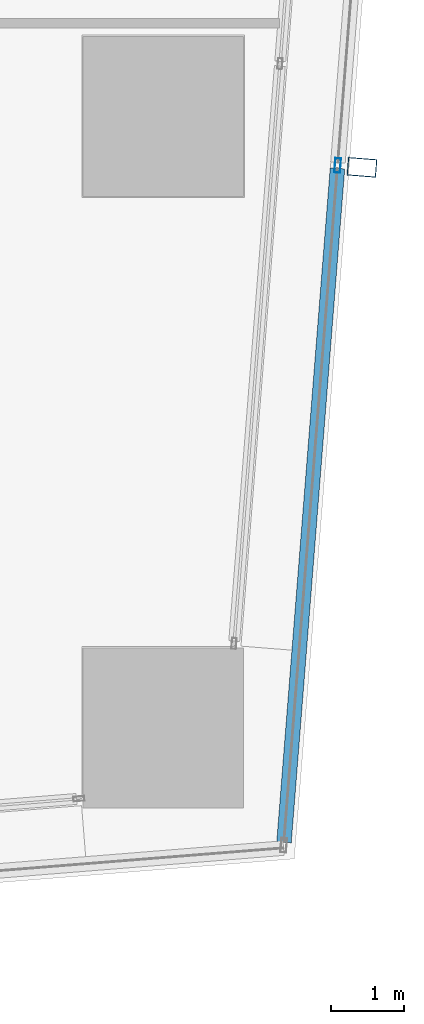
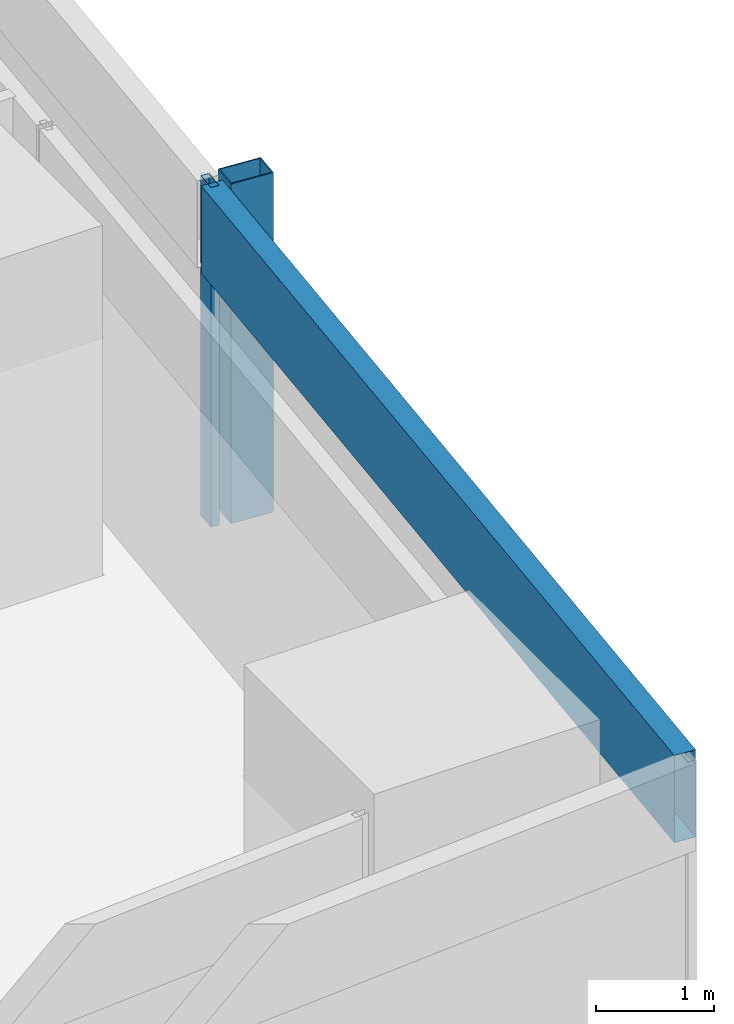
# One storey, part 25 of 45: 3 members, 1 element without a shape of its own.
"""IFC4 building model written with IfcOpenShell, lengths in metres."""

from ifc_helpers import new_model, si_unit, direction, frame, origin, origin_2d, place, context, subcontext, project, spatial, hollow_rectangle, extrude, material, material_profile, profile_set, type_object, element, aggregate, save


model = new_model("IFC4")

# Units and contexts
model_context = context("Model", 3, precision=1e-05, world=origin(), true_north=direction((0.0, 1.0)))
body_context = subcontext(model_context, "Body", "Model", "MODEL_VIEW")
ifc_project = project(units=[si_unit("LENGTHUNIT", "METRE"), si_unit("AREAUNIT", "SQUARE_METRE"), si_unit("VOLUMEUNIT", "CUBIC_METRE"), si_unit("PLANEANGLEUNIT", "RADIAN"), si_unit("MASSUNIT", "GRAM", prefix="KILO")], contexts=[model_context])

# Site, building, storey
site_placement = place(None, origin())
site = spatial("IfcSite", under=ifc_project, at=site_placement, CompositionType="ELEMENT")
building_placement = place(site_placement, origin())
building = spatial("IfcBuilding", under=site, at=building_placement, Name="Rekha Terrace Tower", CompositionType="ELEMENT")
storey_placement = place(building_placement, frame((0.0, 0.0, 32.89990234375)))
storey = spatial("IfcBuildingStorey", under=building, at=storey_placement, Name="L07", CompositionType="ELEMENT", Elevation=32.89990234375)

# Curtain wall, members
ifc_material_1 = material(Name="Aluminium framing", Category="aluminium")
curtain_wall_type = type_object("IfcCurtainWallType", Name="CW2 double skin outer glazing", PredefinedType="USERDEFINED", material=ifc_material_1)
curtain_wall_placement = place(storey_placement, origin())
curtain_wall = element("IfcCurtainWall", 1, at=curtain_wall_placement, inside=storey, type_object=curtain_wall_type, Name="CW2 double skin outer glazing", ObjectType="DOUBLE SKIN OUTER GLAZING", PredefinedType="USERDEFINED")
ifc_material_2 = material(Name="Steel S355 with fluorocarbon finish", Category="steel")
ifc_material_profile_1 = material_profile(ifc_material_2, hollow_rectangle(XDim=0.25, YDim=0.39990234375, WallThickness=0.012451171875, at=origin_2d()), Name="RHS400x250x12.5")
ifc_profile_set_1 = profile_set([ifc_material_profile_1], Name="Steel S355 with fluorocarbon finish")
member_type_1 = type_object("IfcMemberType", Name="BL1 facade blade RHS 400 x 250", PredefinedType="USERDEFINED", material=ifc_profile_set_1)
member_1_placement = place(storey_placement, frame((69.929443359375, 16.099365234375, 0.0), z_axis=(0.0, 0.0, 1.0), x_axis=(0.079116779322, 0.996865354614, 0.0)))
member_1 = element("IfcMember", 2, at=member_1_placement, type_object=member_type_1, Name="Facade blade", ObjectType="FACADE BLADE", PredefinedType="USERDEFINED", context=body_context, shape_type="SweptSolid", body=[
    extrude(hollow_rectangle(XDim=0.25, YDim=0.39990234375, WallThickness=0.012451171875, at=origin_2d()), origin(), (0.0, 0.0, 1.0), 3.5),
])
ifc_material_3 = material(Name="Aluminium mullion section", Category="aluminium")
ifc_material_profile_2 = material_profile(ifc_material_3, hollow_rectangle(XDim=0.080078125, YDim=0.199951171875, WallThickness=0.00390625, at=origin_2d()), Name="AL RHS 80x200")
ifc_profile_set_2 = profile_set([ifc_material_profile_2], Name="Aluminium mullion section")
member_type_2 = type_object("IfcMemberType", Name="CW2 mullion RHS 80 x 200", PredefinedType="MULLION", material=ifc_profile_set_2)
member_2_placement = place(storey_placement, frame((69.595458984375, 16.125732421875, 0.0), z_axis=(0.0, 0.0, 1.0), x_axis=(-0.996865392575, 0.079116301017, 0.0)))
member_2 = element("IfcMember", 3, at=member_2_placement, type_object=member_type_2, Name="CW2 mullion 2", PredefinedType="MULLION", context=body_context, shape_type="SweptSolid", body=[
    extrude(hollow_rectangle(XDim=0.080078125, YDim=0.199951171875, WallThickness=0.00390625, at=origin_2d()), origin(), (0.0, 0.0, 1.0), 3.5),
])
ifc_material_4 = material(Name="Insulated aluminium spandrel box", Category="aluminium")
ifc_material_profile_3 = material_profile(ifc_material_4, hollow_rectangle(XDim=0.199951171875, YDim=0.89990234375, WallThickness=0.0029296875, at=origin_2d()), Name="AL SPANDREL BOX 200x900")
ifc_profile_set_3 = profile_set([ifc_material_profile_3], Name="Insulated aluminium spandrel box")
member_type_3 = type_object("IfcMemberType", Name="CW2 spandrel transom 200 x 900", PredefinedType="USERDEFINED", material=ifc_profile_set_3)
member_3_placement = place(storey_placement, frame((68.857666015625, 6.828369140625, 3.050048828125), z_axis=(0.079104689968, 0.996866314019, 0.0), x_axis=(-0.996866314019, 0.079104689968, 0.0)))
member_3 = element("IfcMember", 4, at=member_3_placement, type_object=member_type_3, Name="CW2 spandrel transom 1", ObjectType="TRANSOM", PredefinedType="USERDEFINED", context=body_context, shape_type="SweptSolid", body=[
    extrude(hollow_rectangle(XDim=0.199951171875, YDim=0.89990234375, WallThickness=0.0029296875, at=origin_2d()), origin(), (0.0, 0.0, 1.0), 9.28662109375),
])
aggregate(curtain_wall, [member_2, member_3, member_1])

save(model, "model.ifc")
